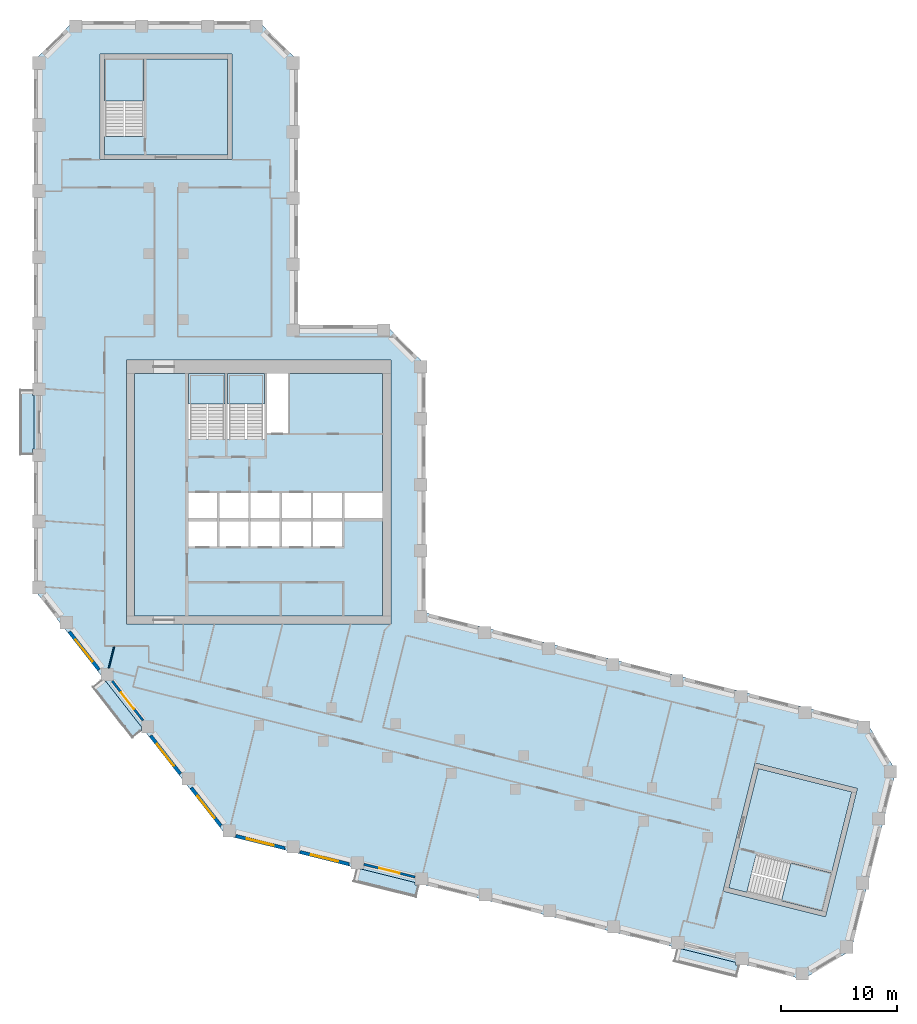
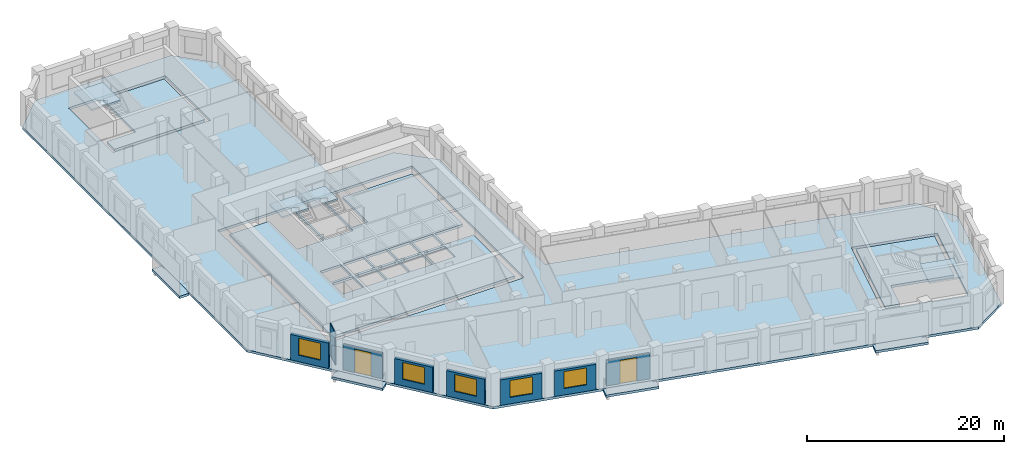
# One storey, part 2 of 10: 12 slabs, 8 walls, 5 windows, 2 doors, 7 openings, 4 elements without a shape of their own.
"""IFC4 building model written with IfcOpenShell, lengths in metres."""

import ifcopenshell
import ifcopenshell.guid

model = None  # the IFC model being written
_history = None  # IfcOwnerHistory: only IFC2X3 demands one
_inside = {}  # id of a spatial element -> (the spatial element, [elements in it])
_under = {}  # id of a project, library or spatial element -> (it, [spatial elements below it])
_declared = {}  # id of a project -> (the project, [libraries it declares])
_typed = {}  # id of a type object -> (the type object, [elements of that type])
_made_of = {}  # id of a material, layer set ... -> (it, [elements and type objects made of it])


def new_model(schema):
    """Start an empty IFC model of exactly this schema.

    Asked for "IFC4X3", IfcOpenShell would pick the latest addendum, in which some entities
    have other attributes; the version numbers below select the first issue.
    IFC2X3 requires an IfcOwnerHistory on every rooted entity: one is made here for all.
    """
    global model, _history
    if schema == "IFC4X3":
        model = ifcopenshell.file(schema_version=(4, 3, 0, 0))
    else:
        model = ifcopenshell.file(schema=schema)
    _inside.clear()
    _under.clear()
    _declared.clear()
    _typed.clear()
    _made_of.clear()
    _history = None
    if model.schema == "IFC2X3":
        org = make("IfcOrganization", Name="unknown")
        user = make(
            "IfcPersonAndOrganization",
            ThePerson=make("IfcPerson", FamilyName="unknown"),
            TheOrganization=org,
        )
        app = make(
            "IfcApplication",
            ApplicationDeveloper=org,
            Version="unknown",
            ApplicationFullName="unknown",
            ApplicationIdentifier="unknown",
        )
        _history = make(
            "IfcOwnerHistory",
            OwningUser=user,
            OwningApplication=app,
            ChangeAction="ADDED",
            CreationDate=0,
        )
    return model


def make(cls, **values):
    """One entity of the class cls with the attributes given. An attribute that is None is left unset."""
    return model.create_entity(
        cls, **{name: value for name, value in values.items() if value is not None}
    )


def rooted(cls, **values):
    """An entity with a GlobalId (a new one), such as an element, a storey or a relation."""
    return make(cls, GlobalId=ifcopenshell.guid.new(), OwnerHistory=_history, **values)


def si_unit(unit_type, name, prefix=None):
    """IfcSIUnit, for example si_unit("LENGTHUNIT", "METRE", prefix="MILLI")."""
    return make("IfcSIUnit", UnitType=unit_type, Prefix=prefix, Name=name)


def assignment(units):
    """IfcUnitAssignment: the units of a project."""
    return None if units is None else make("IfcUnitAssignment", Units=units)


def point(xyz):
    """IfcCartesianPoint."""
    return None if xyz is None else make("IfcCartesianPoint", Coordinates=xyz)


def direction(xyz):
    """IfcDirection."""
    return None if xyz is None else make("IfcDirection", DirectionRatios=xyz)


def frame(location, z_axis=None, x_axis=None):
    """IfcAxis2Placement3D, a coordinate frame: its origin and axes. An axis left out is left unset."""
    return make(
        "IfcAxis2Placement3D",
        Location=point(location),
        Axis=direction(z_axis),
        RefDirection=direction(x_axis),
    )


def frame_2d(location, x_axis=None):
    """IfcAxis2Placement2D, a coordinate frame in the plane: its origin and x axis."""
    return make(
        "IfcAxis2Placement2D", Location=point(location), RefDirection=direction(x_axis)
    )


def origin():
    """The frame at (0, 0, 0) with its axes left unset."""
    return frame((0.0, 0.0, 0.0))


def place(relative_to, where):
    """IfcLocalPlacement: puts the frame where relative to a parent placement (None: the world)."""
    return make(
        "IfcLocalPlacement", PlacementRelTo=relative_to, RelativePlacement=where
    )


def context(
    kind, dimensions, precision=None, world=None, true_north=None, identifier=None
):
    """IfcGeometricRepresentationContext, for example the 3D "Model" context."""
    return make(
        "IfcGeometricRepresentationContext",
        ContextIdentifier=identifier,
        ContextType=kind,
        CoordinateSpaceDimension=dimensions,
        Precision=precision,
        WorldCoordinateSystem=world,
        TrueNorth=true_north,
    )


def subcontext(parent, identifier, kind, view, scale=None):
    """IfcGeometricRepresentationSubContext, for example "Body" below "Model"."""
    return make(
        "IfcGeometricRepresentationSubContext",
        ContextIdentifier=identifier,
        ContextType=kind,
        ParentContext=parent,
        TargetScale=scale,
        TargetView=view,
    )


def project(units=None, contexts=None):
    """IfcProject with its units and contexts."""
    return rooted(
        "IfcProject",
        Name="project",
        RepresentationContexts=contexts,
        UnitsInContext=assignment(units),
    )


def spatial(cls, under=None, at=None, **own):
    """A site, building, storey or space (cls), placed at a placement, below another one or the project."""
    s = rooted(cls, ObjectPlacement=at, **own)
    if under is not None:
        _under.setdefault(under.id(), (under, []))[1].append(s)
    return s


def polyline(points):
    """IfcPolyline through the points."""
    return make("IfcPolyline", Points=[point(p) for p in points])


def profile(cls, at=None, kind="AREA", **sizes):
    """A parametric profile (cls). Its sizes go by their IFC names, for example OverallWidth=200.0."""
    return make(cls, ProfileType=kind, Position=at, **sizes)


def rectangle(**sizes):
    """IfcRectangleProfileDef."""
    return profile("IfcRectangleProfileDef", **sizes)


def outline(outer, holes=None, kind="AREA"):
    """IfcArbitraryClosedProfileDef: a profile drawn as a closed curve; with holes, ...WithVoids."""
    if holes is None:
        return make("IfcArbitraryClosedProfileDef", ProfileType=kind, OuterCurve=outer)
    return make(
        "IfcArbitraryProfileDefWithVoids",
        ProfileType=kind,
        OuterCurve=outer,
        InnerCurves=holes,
    )


def extrude(swept, where, along, depth):
    """IfcExtrudedAreaSolid: the profile swept, set in the frame where, extruded along a direction by depth."""
    return make(
        "IfcExtrudedAreaSolid",
        SweptArea=swept,
        Position=where,
        ExtrudedDirection=direction(along),
        Depth=depth,
    )


def shape(context_of_items, identifier, shape_type, items):
    """IfcShapeRepresentation: the items that make up one representation, for example the "Body"."""
    return make(
        "IfcShapeRepresentation",
        ContextOfItems=context_of_items,
        RepresentationIdentifier=identifier,
        RepresentationType=shape_type,
        Items=items,
    )


def material(Name=None, Category=None):
    """IfcMaterial."""
    return make("IfcMaterial", Name=Name, Category=Category)


def layer(
    of_material, thickness, ventilated=None, Name=None, Category=None, Priority=None
):
    """IfcMaterialLayer: one layer of a wall or slab, of a material (None: an air gap)."""
    return make(
        "IfcMaterialLayer",
        Material=of_material,
        LayerThickness=thickness,
        IsVentilated=ventilated,
        Name=Name,
        Category=Category,
        Priority=Priority,
    )


def layer_set(layers, Name=None):
    """IfcMaterialLayerSet."""
    return make("IfcMaterialLayerSet", MaterialLayers=layers, LayerSetName=Name)


def made_of(thing, what):
    """Note that an element or type object is made of a material, layer set ...; save() writes the relation."""
    if what is not None:
        _made_of.setdefault(what.id(), (what, []))[1].append(thing)
    return thing


def type_object(cls, material=None, **own):
    """A type object (cls), such as IfcWallType, which elements share."""
    return made_of(rooted(cls, **own), material)


def element(
    cls,
    number,
    at=None,
    inside=None,
    cuts=None,
    type_object=None,
    material=None,
    context=None,
    identifier="Body",
    shape_type=None,
    held_by="IfcProductDefinitionShape",
    body=None,
    shapes=None,
    **own,
):
    """One element of the class cls, such as IfcWall. Its Tag is "e" and its number.

    at: its placement. inside: the storey or other place that contains it. cuts: it is an
    opening in that element (IfcRelVoidsElement). A single representation is given by context,
    identifier, shape_type and body (its items); several are given by shapes. held_by: the class
    of the entity that holds the representations. save() writes the other relations.
    """
    e = rooted(cls, Tag="e%d" % number, ObjectPlacement=at, **own)
    if body is not None:
        shapes = [shape(context, identifier, shape_type, body)]
    if shapes is not None:
        e.Representation = make(held_by, Representations=shapes)
    if inside is not None:
        _inside.setdefault(inside.id(), (inside, []))[1].append(e)
    if cuts is not None:
        rooted(
            "IfcRelVoidsElement", RelatingBuildingElement=cuts, RelatedOpeningElement=e
        )
    if type_object is not None:
        _typed.setdefault(type_object.id(), (type_object, []))[1].append(e)
    return made_of(e, material)


def fill(opening, filler):
    """IfcRelFillsElement: the door or window that sits in an opening."""
    return rooted(
        "IfcRelFillsElement",
        RelatingOpeningElement=opening,
        RelatedBuildingElement=filler,
    )


def aggregate(whole, parts):
    """IfcRelAggregates: a whole, such as a stair, and the parts it consists of."""
    return rooted("IfcRelAggregates", RelatingObject=whole, RelatedObjects=parts)


def save(model, path):
    """Write the relations noted so far, then the file.

    IfcRelAggregates (storeys below a building ...), IfcRelContainedInSpatialStructure (elements
    in a storey), IfcRelDefinesByType, IfcRelAssociatesMaterial and IfcRelDeclares: one each for
    every whole, place, type object, material and project.
    """
    for whole, parts in _under.values():
        aggregate(whole, parts)
    for where, things in _inside.values():
        rooted(
            "IfcRelContainedInSpatialStructure",
            RelatedElements=things,
            RelatingStructure=where,
        )
    for kind, things in _typed.values():
        rooted("IfcRelDefinesByType", RelatedObjects=things, RelatingType=kind)
    for what, things in _made_of.values():
        rooted("IfcRelAssociatesMaterial", RelatedObjects=things, RelatingMaterial=what)
    for by, libraries in _declared.values():
        rooted("IfcRelDeclares", RelatingContext=by, RelatedDefinitions=libraries)
    model.write(path)


model = new_model("IFC4")

# Units and contexts
model_context = context("Model", 3, precision=1e-05, world=origin(), true_north=direction((0.0, 1.0)))
body_context = subcontext(model_context, "Body", "Model", "MODEL_VIEW")
ifc_project = project(units=[si_unit("LENGTHUNIT", "METRE"), si_unit("AREAUNIT", "SQUARE_METRE"), si_unit("VOLUMEUNIT", "CUBIC_METRE"), si_unit("PLANEANGLEUNIT", "RADIAN"), si_unit("MASSUNIT", "GRAM", prefix="KILO")], contexts=[model_context])

# Site, building, storey
site_placement = place(None, origin())
site = spatial("IfcSite", under=ifc_project, at=site_placement, CompositionType="ELEMENT")
building_placement = place(site_placement, origin())
building = spatial("IfcBuilding", under=site, at=building_placement, Name="Meshkara Civic Tower", CompositionType="ELEMENT")
storey_placement = place(building_placement, frame((0.0, 0.0, 263.39990234375)))
storey = spatial("IfcBuildingStorey", under=building, at=storey_placement, Name="L60", CompositionType="ELEMENT", Elevation=263.39990234375)

# Slabs
ifc_material_1 = material(Name="Concrete C40", Category="concrete")
ifc_layer_1 = layer(ifc_material_1, 0.300048828125)
ifc_layer_set_1 = layer_set([ifc_layer_1], Name="BALCONY SLAB")
slab_type_1 = type_object("IfcSlabType", Name="BALCONY SLAB", PredefinedType="FLOOR", material=ifc_layer_set_1)
slab_1_placement = place(storey_placement, frame((0.0, 0.0, -0.2998046875)))
element("IfcSlab", 1, at=slab_1_placement, inside=storey, type_object=slab_type_1, Name="Balcony slab", PredefinedType="FLOOR", context=body_context, shape_type="SweptSolid", body=[
    extrude(outline(polyline([(-1.199951171875, 28.715087890625), (-1.199951171875, 34.294921875), (-0.10009765625, 34.294921875), (-0.10009765625, 33.804931640625), (0.0, 33.804931640625), (0.0, 29.205078125), (-0.10009765625, 29.205078125), (-0.10009765625, 28.715087890625), (-1.199951171875, 28.715087890625)])), origin(), (0.0, 0.0, 1.0), 0.2998046875),
])
slab_2_placement = place(storey_placement, frame((0.0, 0.0, -0.2998046875)))
element("IfcSlab", 2, at=slab_2_placement, inside=storey, type_object=slab_type_1, Name="Balcony slab", PredefinedType="FLOOR", context=body_context, shape_type="SweptSolid", body=[
    extrude(outline(polyline([(8.49609375, 4.27587890625), (5.06005859375, 8.674072265625), (5.77294921875, 9.23095703125), (5.77294921875, 9.18701171875), (6.181884765625, 9.18701171875), (9.282958984375, 5.218017578125), (9.282958984375, 4.89111328125), (8.49609375, 4.27587890625)])), origin(), (0.0, 0.0, 1.0), 0.2998046875),
])
slab_3_placement = place(storey_placement, frame((0.0, 0.0, -0.2998046875)))
element("IfcSlab", 3, at=slab_3_placement, inside=storey, type_object=slab_type_1, Name="Balcony slab", PredefinedType="FLOOR", context=body_context, shape_type="SweptSolid", body=[
    extrude(outline(polyline([(32.986083984375, -9.4609375), (27.571044921875, -8.111083984375), (27.8369140625, -7.0458984375), (28.260009765625, -7.0458984375), (32.89306640625, -8.200927734375), (32.89306640625, -8.425048828125), (33.243896484375, -8.425048828125), (32.986083984375, -9.4609375)])), origin(), (0.0, 0.0, 1.0), 0.2998046875),
])
slab_4_placement = place(storey_placement, frame((0.0, 0.0, -0.2998046875)))
element("IfcSlab", 4, at=slab_4_placement, inside=storey, type_object=slab_type_1, Name="Balcony slab", PredefinedType="FLOOR", context=body_context, shape_type="SweptSolid", body=[
    extrude(outline(polyline([(60.639892578125, -16.35595703125), (55.22509765625, -15.006103515625), (55.490966796875, -13.93994140625), (55.910888671875, -13.93994140625), (60.547119140625, -15.095947265625), (60.547119140625, -15.319091796875), (60.89794921875, -15.319091796875), (60.639892578125, -16.35595703125)])), origin(), (0.0, 0.0, 1.0), 0.2998046875),
])
ifc_material_2 = material(Name="Concrete C40/50", Category="concrete")
ifc_layer_2 = layer(ifc_material_2, 0.300048828125)
ifc_layer_set_2 = layer_set([ifc_layer_2], Name="Core floor slab 300 C40/50")
slab_type_2 = type_object("IfcSlabType", Name="Core floor slab 300 C40/50", PredefinedType="FLOOR", material=ifc_layer_set_2)
slab_5_placement = place(storey_placement, frame((0.0, 0.0, -0.2998046875)))
element("IfcSlab", 5, at=slab_5_placement, inside=storey, type_object=slab_type_2, Name="Core floor K", PredefinedType="FLOOR", context=body_context, shape_type="SweptSolid", body=[
    extrude(outline(polyline([(8.699951171875, 35.699951171875), (13.35009765625, 35.699951171875), (13.35009765625, 30.00146484375), (16.5, 30.00146484375), (16.5, 35.699951171875), (16.699951171875, 35.699951171875), (16.699951171875, 30.00146484375), (19.89990234375, 30.00146484375), (19.89990234375, 35.699951171875), (20.10009765625, 35.699951171875), (20.10009765625, 30.574951171875), (21.925048828125, 30.574951171875), (21.925048828125, 35.699951171875), (30.10009765625, 35.699951171875), (30.10009765625, 25.39990234375), (26.800048828125, 25.39990234375), (26.800048828125, 23.25), (30.10009765625, 23.25), (30.10009765625, 14.800048828125), (8.699951171875, 14.800048828125), (8.699951171875, 35.699951171875)]), holes=[polyline([(15.800048828125, 22.949951171875), (13.35009765625, 22.949951171875), (13.35009765625, 20.800048828125), (15.800048828125, 20.800048828125), (15.800048828125, 22.949951171875)]), polyline([(16.0, 22.949951171875), (16.0, 20.800048828125), (18.5, 20.800048828125), (18.5, 22.949951171875), (16.0, 22.949951171875)]), polyline([(18.699951171875, 22.949951171875), (18.699951171875, 20.800048828125), (21.199951171875, 20.800048828125), (21.199951171875, 22.949951171875), (18.699951171875, 22.949951171875)]), polyline([(15.800048828125, 23.25), (15.800048828125, 25.39990234375), (13.35009765625, 25.39990234375), (13.35009765625, 23.25), (15.800048828125, 23.25)]), polyline([(16.0, 25.39990234375), (16.0, 23.25), (18.5, 23.25), (18.5, 25.39990234375), (16.0, 25.39990234375)]), polyline([(23.89990234375, 20.800048828125), (23.89990234375, 22.949951171875), (21.39990234375, 22.949951171875), (21.39990234375, 20.800048828125), (23.89990234375, 20.800048828125)]), polyline([(24.10009765625, 20.800048828125), (26.60009765625, 20.800048828125), (26.60009765625, 22.949951171875), (24.10009765625, 22.949951171875), (24.10009765625, 20.800048828125)]), polyline([(18.699951171875, 25.39990234375), (18.699951171875, 23.25), (21.199951171875, 23.25), (21.199951171875, 25.39990234375), (18.699951171875, 25.39990234375)]), polyline([(21.39990234375, 23.25), (23.89990234375, 23.25), (23.89990234375, 25.39990234375), (21.39990234375, 25.39990234375), (21.39990234375, 23.25)]), polyline([(26.60009765625, 23.25), (26.60009765625, 25.39990234375), (24.10009765625, 25.39990234375), (24.10009765625, 23.25), (26.60009765625, 23.25)])]), origin(), (0.0, 0.0, 1.0), 0.2998046875),
])
slab_6_placement = place(storey_placement, frame((0.0, 0.0, -0.2998046875)))
element("IfcSlab", 6, at=slab_6_placement, inside=storey, type_object=slab_type_2, Name="Core floor EA", PredefinedType="FLOOR", context=body_context, shape_type="SweptSolid", body=[
    extrude(outline(polyline([(16.699951171875, 54.570068359375), (16.699951171875, 62.8701171875), (9.5, 62.8701171875), (9.5, 56.17138671875), (6.10009765625, 56.17138671875), (6.10009765625, 54.570068359375), (16.699951171875, 54.570068359375)])), origin(), (0.0, 0.0, 1.0), 0.2998046875),
])
slab_7_placement = place(storey_placement, frame((0.0, 0.0, -0.2998046875)))
element("IfcSlab", 7, at=slab_7_placement, inside=storey, type_object=slab_type_2, Name="Core floor EB", PredefinedType="FLOOR", context=body_context, shape_type="SweptSolid", body=[
    extrude(outline(polyline([(62.519775390625, 1.623291015625), (70.5732421875, -0.384765625), (68.83154296875, -7.370849609375), (62.33203125, -5.750244140625), (61.50927734375, -9.04931640625), (59.95556640625, -8.661865234375), (62.519775390625, 1.623291015625)])), origin(), (0.0, 0.0, 1.0), 0.2998046875),
])

# Stair, slab
ifc_material_3 = material(Name="Precast concrete C40/50", Category="concrete")
stair_type_1 = type_object("IfcStairType", Name="Exit stair half-turn 24 risers precast", PredefinedType="HALF_TURN_STAIR", material=ifc_material_3)
stair_1_placement = place(storey_placement, origin())
stair_1 = element("IfcStair", 8, at=stair_1_placement, inside=storey, type_object=stair_type_1, Name="L60 exit stair 1", PredefinedType="HALF_TURN_STAIR")
ifc_material_4 = material(Name="Precast concrete C40/50", Category="concrete")
ifc_layer_3 = layer(ifc_material_4, 0.199951171875)
ifc_layer_set_3 = layer_set([ifc_layer_3], Name="Exit stair landing 200")
slab_type_3 = type_object("IfcSlabType", Name="Exit stair landing 200", PredefinedType="LANDING", material=ifc_layer_set_3)
slab_8_placement = place(storey_placement, frame((0.0, 0.0, 1.900146484375)))
slab_8 = element("IfcSlab", 9, at=slab_8_placement, type_object=slab_type_3, Name="ST1 landing 1", PredefinedType="LANDING", context=body_context, shape_type="SweptSolid", body=[
    extrude(outline(polyline([(16.5, 33.07861328125), (16.5, 35.699951171875), (13.35009765625, 35.699951171875), (13.35009765625, 33.07861328125), (16.5, 33.07861328125)])), origin(), (0.0, 0.0, 1.0), 0.199951171875),
])
aggregate(stair_1, [slab_8])

stair_2_placement = place(storey_placement, origin())
stair_2 = element("IfcStair", 10, at=stair_2_placement, inside=storey, type_object=stair_type_1, Name="L60 exit stair 2", PredefinedType="HALF_TURN_STAIR")
slab_9_placement = place(storey_placement, frame((0.0, 0.0, 1.900146484375)))
slab_9 = element("IfcSlab", 11, at=slab_9_placement, type_object=slab_type_3, Name="ST2 landing 1", PredefinedType="LANDING", context=body_context, shape_type="SweptSolid", body=[
    extrude(outline(polyline([(19.89990234375, 33.07861328125), (19.89990234375, 35.699951171875), (16.699951171875, 35.699951171875), (16.699951171875, 33.07861328125), (19.89990234375, 33.07861328125)])), origin(), (0.0, 0.0, 1.0), 0.199951171875),
])
aggregate(stair_2, [slab_9])

ifc_material_5 = material(Name="Precast concrete C40/50", Category="concrete")
stair_type_2 = type_object("IfcStairType", Name="Exit stair half-turn 24 risers 1600 precast", PredefinedType="HALF_TURN_STAIR", material=ifc_material_5)
stair_3_placement = place(storey_placement, origin())
stair_3 = element("IfcStair", 12, at=stair_3_placement, inside=storey, type_object=stair_type_2, Name="L60 exit stair A from L50", PredefinedType="HALF_TURN_STAIR")
slab_10_placement = place(storey_placement, frame((0.0, 0.0, 1.900146484375)))
slab_10 = element("IfcSlab", 13, at=slab_10_placement, type_object=slab_type_3, Name="ESA4 landing 1", PredefinedType="LANDING", context=body_context, shape_type="SweptSolid", body=[
    extrude(outline(polyline([(9.5, 59.24853515625), (9.5, 62.8701171875), (6.10009765625, 62.8701171875), (6.10009765625, 59.24853515625), (9.5, 59.24853515625)])), origin(), (0.0, 0.0, 1.0), 0.199951171875),
])
aggregate(stair_3, [slab_10])

stair_4_placement = place(storey_placement, origin())
stair_4 = element("IfcStair", 14, at=stair_4_placement, inside=storey, type_object=stair_type_2, Name="L60 exit stair B from L50", PredefinedType="HALF_TURN_STAIR")
slab_11_placement = place(storey_placement, frame((0.0, 0.0, 1.900146484375)))
slab_11 = element("IfcSlab", 15, at=slab_11_placement, type_object=slab_type_3, Name="ESB4 landing 1", PredefinedType="LANDING", context=body_context, shape_type="SweptSolid", body=[
    extrude(outline(polyline([(64.49462890625, -9.794677734375), (68.0087890625, -10.67138671875), (68.83203125, -7.371337890625), (65.318115234375, -6.49462890625), (64.49462890625, -9.794677734375)])), origin(), (0.0, 0.0, 1.0), 0.199951171875),
])
aggregate(stair_4, [slab_11])

# Slab
ifc_material_6 = material(Name="Concrete C50", Category="concrete")
ifc_layer_4 = layer(ifc_material_6, 0.300048828125)
ifc_layer_set_4 = layer_set([ifc_layer_4], Name="Post-tensioned flat slab 300 C50")
slab_type_4 = type_object("IfcSlabType", Name="Post-tensioned flat slab 300 C50", PredefinedType="FLOOR", material=ifc_layer_set_4)
slab_12_placement = place(storey_placement, frame((0.0, 0.0, -0.2998046875)))
element("IfcSlab", 16, at=slab_12_placement, inside=storey, type_object=slab_type_4, Name="Post-tensioned flat slab L60", PredefinedType="FLOOR", context=body_context, shape_type="SweptSolid", body=[
    extrude(outline(polyline([(70.513916015625, -14.055908203125), (66.367919921875, -16.547119140625), (16.592041015625, -4.136962890625), (0.0, 17.10009765625), (0.0, 62.699951171875), (3.419921875, 66.1201171875), (19.3798828125, 66.1201171875), (22.800048828125, 62.699951171875), (22.800048828125, 39.89990234375), (30.3798828125, 39.89990234375), (33.800048828125, 36.47998046875), (33.800048828125, 15.071044921875), (71.884033203125, 5.574951171875), (74.375, 1.429931640625), (70.513916015625, -14.055908203125)]), holes=[polyline([(68.300048828125, -11.155029296875), (71.05810546875, -0.093017578125), (62.22802734375, 2.10791015625), (59.470947265625, -8.952880859375), (68.300048828125, -11.155029296875)]), polyline([(8.0, 14.10009765625), (30.800048828125, 14.10009765625), (30.800048828125, 36.89990234375), (8.0, 36.89990234375), (8.0, 14.10009765625)]), polyline([(5.699951171875, 63.27001953125), (5.699951171875, 54.169921875), (17.10009765625, 54.169921875), (17.10009765625, 63.27001953125), (5.699951171875, 63.27001953125)])]), origin(), (0.0, 0.0, 1.0), 0.2998046875),
])

# Wall, opening, window
ifc_material_7 = material(Name="Insulated infill panel with bronze anodised aluminium cladding", Category="aluminium")
ifc_layer_5 = layer(ifc_material_7, 0.300048828125)
ifc_layer_set_5 = layer_set([ifc_layer_5], Name="EXTERNAL INFILL WALL 300")
wall_type_1 = type_object("IfcWallType", Name="EXTERNAL INFILL WALL 300", PredefinedType="SOLIDWALL", material=ifc_layer_set_5)
wall_1_placement = place(storey_placement, frame((3.052978515625, 13.43603515625, 0.0), z_axis=(0.0, 0.0, 1.0), x_axis=(0.615699893917, -0.787980736205, 0.0)))
wall_1 = element("IfcWall", 17, at=wall_1_placement, inside=storey, type_object=wall_type_1, Name="External wall", PredefinedType="SOLIDWALL", context=body_context, shape_type="SweptSolid", body=[
    extrude(rectangle(XDim=4.156494140625, YDim=0.300048828125, at=frame_2d((2.078125, 0.0))), origin(), (0.0, 0.0, 1.0), 3.150146484375),
])
opening_1_placement = place(wall_1_placement, frame((0.8779296875, 0.0, 0.800048828125)))
opening_1 = element("IfcOpeningElement", 18, at=opening_1_placement, cuts=wall_1, Name="Opening W7", PredefinedType="OPENING", context=body_context, shape_type="SweptSolid", body=[
    extrude(rectangle(XDim=2.39990234375, YDim=2.10009765625, at=frame_2d((1.199951171875, 1.050048828125))), frame((0.0, 0.159912109375, 0.0), z_axis=(0.0, -1.0, 0.0), x_axis=(1.0, 0.0, 0.0)), (0.0, 0.0, 1.0), 0.320068359375),
])
ifc_material_8 = material(Name="Tinted double glazing", Category="glass")
window_type = type_object("IfcWindowType", Name="WINDOW 2400x2100", PartitioningType="DOUBLE_PANEL_VERTICAL", PredefinedType="WINDOW", material=ifc_material_8)
window_1_placement = place(opening_1_placement, origin())
window_1 = element("IfcWindow", 19, at=window_1_placement, inside=storey, type_object=window_type, Name="Window", OverallHeight=2.10009765625, OverallWidth=2.39990234375, PartitioningType="DOUBLE_PANEL_VERTICAL", PredefinedType="WINDOW", context=body_context, shape_type="SweptSolid", body=[
    extrude(rectangle(XDim=2.39990234375, YDim=2.10009765625, at=frame_2d((1.199951171875, 1.050048828125))), frame((0.0, 0.030029296875, 0.0), z_axis=(0.0, -1.0, 0.0), x_axis=(1.0, 0.0, 0.0)), (0.0, 0.0, 1.0), 0.06005859375),
])
fill(opening_1, window_1)

wall_2_placement = place(storey_placement, frame((10.072021484375, 4.451904296875, 0.0), z_axis=(0.0, 0.0, 1.0), x_axis=(0.615660006568, -0.788011901124, 0.0)))
wall_2 = element("IfcWall", 20, at=wall_2_placement, inside=storey, type_object=wall_type_1, Name="External wall", PredefinedType="SOLIDWALL", context=body_context, shape_type="SweptSolid", body=[
    extrude(rectangle(XDim=4.15478515625, YDim=0.300048828125, at=frame_2d((2.077392578125, 0.0))), origin(), (0.0, 0.0, 1.0), 3.150146484375),
])
opening_2_placement = place(wall_2_placement, frame((0.8779296875, 0.0, 0.800048828125)))
opening_2 = element("IfcOpeningElement", 21, at=opening_2_placement, cuts=wall_2, Name="Opening W7", PredefinedType="OPENING", context=body_context, shape_type="SweptSolid", body=[
    extrude(rectangle(XDim=2.39990234375, YDim=2.10009765625, at=frame_2d((1.199951171875, 1.050048828125))), frame((0.0, 0.159912109375, 0.0), z_axis=(0.0, -1.0, 0.0), x_axis=(1.0, 0.0, 0.0)), (0.0, 0.0, 1.0), 0.320068359375),
])
window_2_placement = place(opening_2_placement, origin())
window_2 = element("IfcWindow", 22, at=window_2_placement, inside=storey, type_object=window_type, Name="Window", OverallHeight=2.10009765625, OverallWidth=2.39990234375, PartitioningType="DOUBLE_PANEL_VERTICAL", PredefinedType="WINDOW", context=body_context, shape_type="SweptSolid", body=[
    extrude(rectangle(XDim=2.39990234375, YDim=2.10009765625, at=frame_2d((1.199951171875, 1.050048828125))), frame((0.0, 0.030029296875, 0.0), z_axis=(0.0, -1.0, 0.0), x_axis=(1.0, 0.0, 0.0)), (0.0, 0.0, 1.0), 0.06005859375),
])
fill(opening_2, window_2)

wall_3_placement = place(storey_placement, frame((13.5810546875, -0.0390625, 0.0), z_axis=(0.0, 0.0, 1.0), x_axis=(0.615545986363, -0.788100969846, 0.0)))
wall_3 = element("IfcWall", 23, at=wall_3_placement, inside=storey, type_object=wall_type_1, Name="External wall", PredefinedType="SOLIDWALL", context=body_context, shape_type="SweptSolid", body=[
    extrude(rectangle(XDim=4.155517578125, YDim=0.300048828125, at=frame_2d((2.07763671875, 0.0))), origin(), (0.0, 0.0, 1.0), 3.150146484375),
])
opening_3_placement = place(wall_3_placement, frame((0.8779296875, 0.0, 0.800048828125)))
opening_3 = element("IfcOpeningElement", 24, at=opening_3_placement, cuts=wall_3, Name="Opening W7", PredefinedType="OPENING", context=body_context, shape_type="SweptSolid", body=[
    extrude(rectangle(XDim=2.39990234375, YDim=2.10009765625, at=frame_2d((1.199951171875, 1.050048828125))), frame((0.0, 0.159912109375, 0.0), z_axis=(0.0, -1.0, 0.0), x_axis=(1.0, 0.0, 0.0)), (0.0, 0.0, 1.0), 0.320068359375),
])
window_3_placement = place(opening_3_placement, origin())
window_3 = element("IfcWindow", 25, at=window_3_placement, inside=storey, type_object=window_type, Name="Window", OverallHeight=2.10009765625, OverallWidth=2.39990234375, PartitioningType="DOUBLE_PANEL_VERTICAL", PredefinedType="WINDOW", context=body_context, shape_type="SweptSolid", body=[
    extrude(rectangle(XDim=2.39990234375, YDim=2.10009765625, at=frame_2d((1.199951171875, 1.050048828125))), frame((0.0, 0.030029296875, 0.0), z_axis=(0.0, -1.0, 0.0), x_axis=(1.0, 0.0, 0.0)), (0.0, 0.0, 1.0), 0.06005859375),
])
fill(opening_3, window_3)

wall_4_placement = place(storey_placement, frame((17.425048828125, -4.18994140625, 0.0), z_axis=(0.0, 0.0, 1.0), x_axis=(0.970270592847, -0.242022677978, 0.0)))
wall_4 = element("IfcWall", 26, at=wall_4_placement, inside=storey, type_object=wall_type_1, Name="External wall", PredefinedType="SOLIDWALL", context=body_context, shape_type="SweptSolid", body=[
    extrude(rectangle(XDim=4.367919921875, YDim=0.300048828125, at=frame_2d((2.18408203125, 0.0))), origin(), (0.0, 0.0, 1.0), 3.150146484375),
])
opening_4_placement = place(wall_4_placement, frame((0.98291015625, 0.0, 0.800048828125)))
opening_4 = element("IfcOpeningElement", 27, at=opening_4_placement, cuts=wall_4, Name="Opening W7", PredefinedType="OPENING", context=body_context, shape_type="SweptSolid", body=[
    extrude(rectangle(XDim=2.39990234375, YDim=2.10009765625, at=frame_2d((1.199951171875, 1.050048828125))), frame((0.0, 0.159912109375, 0.0), z_axis=(0.0, -1.0, 0.0), x_axis=(1.0, 0.0, 0.0)), (0.0, 0.0, 1.0), 0.320068359375),
])
window_4_placement = place(opening_4_placement, origin())
window_4 = element("IfcWindow", 28, at=window_4_placement, inside=storey, type_object=window_type, Name="Window", OverallHeight=2.10009765625, OverallWidth=2.39990234375, PartitioningType="DOUBLE_PANEL_VERTICAL", PredefinedType="WINDOW", context=body_context, shape_type="SweptSolid", body=[
    extrude(rectangle(XDim=2.39990234375, YDim=2.10009765625, at=frame_2d((1.199951171875, 1.050048828125))), frame((0.0, 0.030029296875, 0.0), z_axis=(0.0, -1.0, 0.0), x_axis=(1.0, 0.0, 0.0)), (0.0, 0.0, 1.0), 0.06005859375),
])
fill(opening_4, window_4)

wall_5_placement = place(storey_placement, frame((22.9560546875, -5.569091796875, 0.0), z_axis=(0.0, 0.0, 1.0), x_axis=(0.970323116569, -0.241812012628, 0.0)))
wall_5 = element("IfcWall", 29, at=wall_5_placement, inside=storey, type_object=wall_type_1, Name="External wall", PredefinedType="SOLIDWALL", context=body_context, shape_type="SweptSolid", body=[
    extrude(rectangle(XDim=4.36669921875, YDim=0.300048828125, at=frame_2d((2.183349609375, 0.0))), origin(), (0.0, 0.0, 1.0), 3.150146484375),
])
opening_5_placement = place(wall_5_placement, frame((0.98291015625, 0.0, 0.800048828125)))
opening_5 = element("IfcOpeningElement", 30, at=opening_5_placement, cuts=wall_5, Name="Opening W7", PredefinedType="OPENING", context=body_context, shape_type="SweptSolid", body=[
    extrude(rectangle(XDim=2.39990234375, YDim=2.10009765625, at=frame_2d((1.199951171875, 1.050048828125))), frame((0.0, 0.159912109375, 0.0), z_axis=(0.0, -1.0, 0.0), x_axis=(1.0, 0.0, 0.0)), (0.0, 0.0, 1.0), 0.320068359375),
])
window_5_placement = place(opening_5_placement, origin())
window_5 = element("IfcWindow", 31, at=window_5_placement, inside=storey, type_object=window_type, Name="Window", OverallHeight=2.10009765625, OverallWidth=2.39990234375, PartitioningType="DOUBLE_PANEL_VERTICAL", PredefinedType="WINDOW", context=body_context, shape_type="SweptSolid", body=[
    extrude(rectangle(XDim=2.39990234375, YDim=2.10009765625, at=frame_2d((1.199951171875, 1.050048828125))), frame((0.0, 0.030029296875, 0.0), z_axis=(0.0, -1.0, 0.0), x_axis=(1.0, 0.0, 0.0)), (0.0, 0.0, 1.0), 0.06005859375),
])
fill(opening_5, window_5)

# Wall, opening, door
ifc_material_9 = material(Name="Insulated infill panel with bronze anodised aluminium cladding", Category="aluminium")
ifc_layer_6 = layer(ifc_material_9, 0.199951171875)
ifc_layer_set_6 = layer_set([ifc_layer_6], Name="LOGGIA BACK WALL 200")
wall_type_2 = type_object("IfcWallType", Name="LOGGIA BACK WALL 200", PredefinedType="SOLIDWALL", material=ifc_layer_set_6)
wall_6_placement = place(storey_placement, frame((6.75390625, 9.18701171875, 0.0), z_axis=(0.0, 0.0, 1.0), x_axis=(0.615514142447, -0.78812584049, 0.0)))
wall_6 = element("IfcWall", 32, at=wall_6_placement, inside=storey, type_object=wall_type_2, Name="Loggia wall", PredefinedType="SOLIDWALL", context=body_context, shape_type="SweptSolid", body=[
    extrude(rectangle(XDim=4.303955078125, YDim=0.199951171875, at=frame_2d((2.15185546875, 0.0))), origin(), (0.0, 0.0, 1.0), 3.150146484375),
])
opening_6_placement = place(wall_6_placement, frame((1.251953125, 0.0, 0.0)))
opening_6 = element("IfcOpeningElement", 33, at=opening_6_placement, cuts=wall_6, Name="Opening L60-L002", PredefinedType="OPENING", context=body_context, shape_type="SweptSolid", body=[
    extrude(rectangle(XDim=1.800048828125, YDim=2.89990234375, at=frame_2d((0.89990234375, 1.449951171875))), frame((0.0, 0.10986328125, 0.0), z_axis=(0.0, -1.0, 0.0), x_axis=(1.0, 0.0, 0.0)), (0.0, 0.0, 1.0), 0.219970703125),
])
ifc_material_10 = material(Name="Tinted double glazing", Category="glass")
door_type = type_object("IfcDoorType", Name="LOGGIA DOOR 1800x2900", OperationType="DOUBLE_DOOR_SINGLE_SWING", PredefinedType="DOOR", material=ifc_material_10)
door_1_placement = place(opening_6_placement, origin())
door_1 = element("IfcDoor", 34, at=door_1_placement, inside=storey, type_object=door_type, Name="L60-L002", OperationType="DOUBLE_DOOR_SINGLE_SWING", OverallHeight=2.89990234375, OverallWidth=1.800048828125, PredefinedType="DOOR", context=body_context, shape_type="SweptSolid", body=[
    extrude(rectangle(XDim=1.800048828125, YDim=2.89990234375, at=frame_2d((0.89990234375, 1.449951171875))), frame((0.0, 0.02490234375, 0.0), z_axis=(0.0, -1.0, 0.0), x_axis=(1.0, 0.0, 0.0)), (0.0, 0.0, 1.0), 0.050048828125),
])
fill(opening_6, door_1)

wall_7_placement = place(storey_placement, frame((28.4619140625, -6.633056640625, 0.0), z_axis=(0.0, 0.0, 1.0), x_axis=(0.970337166083, -0.241755628927, 0.0)))
wall_7 = element("IfcWall", 35, at=wall_7_placement, inside=storey, type_object=wall_type_2, Name="Loggia wall", PredefinedType="SOLIDWALL", context=body_context, shape_type="SweptSolid", body=[
    extrude(rectangle(XDim=4.566650390625, YDim=0.199951171875, at=frame_2d((2.283203125, 0.0))), origin(), (0.0, 0.0, 1.0), 3.150146484375),
])
opening_7_placement = place(wall_7_placement, frame((1.383056640625, 0.0, 0.0)))
opening_7 = element("IfcOpeningElement", 36, at=opening_7_placement, cuts=wall_7, Name="Opening L60-L003", PredefinedType="OPENING", context=body_context, shape_type="SweptSolid", body=[
    extrude(rectangle(XDim=1.800048828125, YDim=2.89990234375, at=frame_2d((0.89990234375, 1.449951171875))), frame((0.0, 0.10986328125, 0.0), z_axis=(0.0, -1.0, 0.0), x_axis=(1.0, 0.0, 0.0)), (0.0, 0.0, 1.0), 0.219970703125),
])
door_2_placement = place(opening_7_placement, origin())
door_2 = element("IfcDoor", 37, at=door_2_placement, inside=storey, type_object=door_type, Name="L60-L003", OperationType="DOUBLE_DOOR_SINGLE_SWING", OverallHeight=2.89990234375, OverallWidth=1.800048828125, PredefinedType="DOOR", context=body_context, shape_type="SweptSolid", body=[
    extrude(rectangle(XDim=1.800048828125, YDim=2.89990234375, at=frame_2d((0.89990234375, 1.449951171875))), frame((0.0, 0.02490234375, 0.0), z_axis=(0.0, -1.0, 0.0), x_axis=(1.0, 0.0, 0.0)), (0.0, 0.0, 1.0), 0.050048828125),
])
fill(opening_7, door_2)

# Wall
ifc_material_11 = material(Name="Partition 100")
ifc_layer_7 = layer(ifc_material_11, 0.10009765625)
ifc_layer_set_7 = layer_set([ifc_layer_7], Name="Partition 100")
wall_type_3 = type_object("IfcWallType", Name="Partition 100", PredefinedType="PARTITIONING", material=ifc_layer_set_7)
wall_8_placement = place(storey_placement, frame((6.922119140625, 12.137939453125, 0.0), z_axis=(0.0, 0.0, 1.0), x_axis=(-0.242264600824, -0.970210215978, 0.0)))
element("IfcWall", 38, at=wall_8_placement, inside=storey, type_object=wall_type_3, Name="L60-W039", PredefinedType="PARTITIONING", context=body_context, shape_type="SweptSolid", body=[
    extrude(rectangle(XDim=1.90771484375, YDim=0.10009765625, at=frame_2d((0.953857421875, 0.0))), origin(), (0.0, 0.0, 1.0), 3.900146484375),
])

save(model, "model.ifc")
